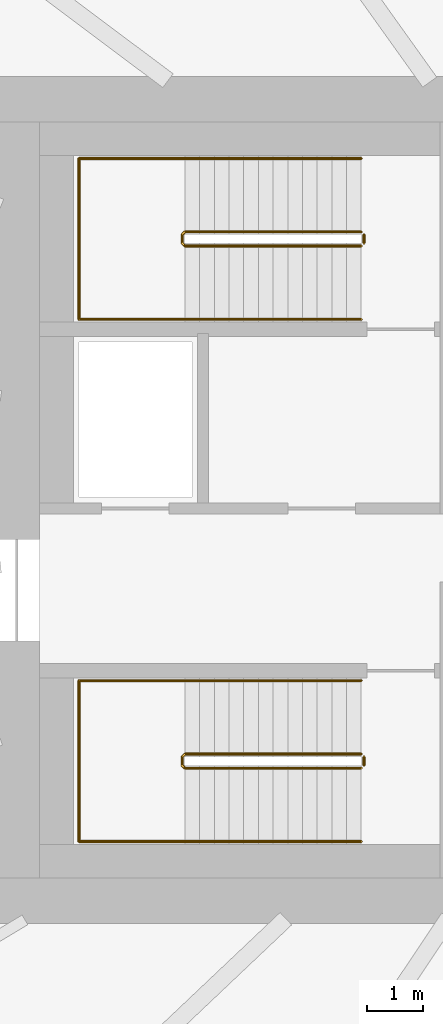
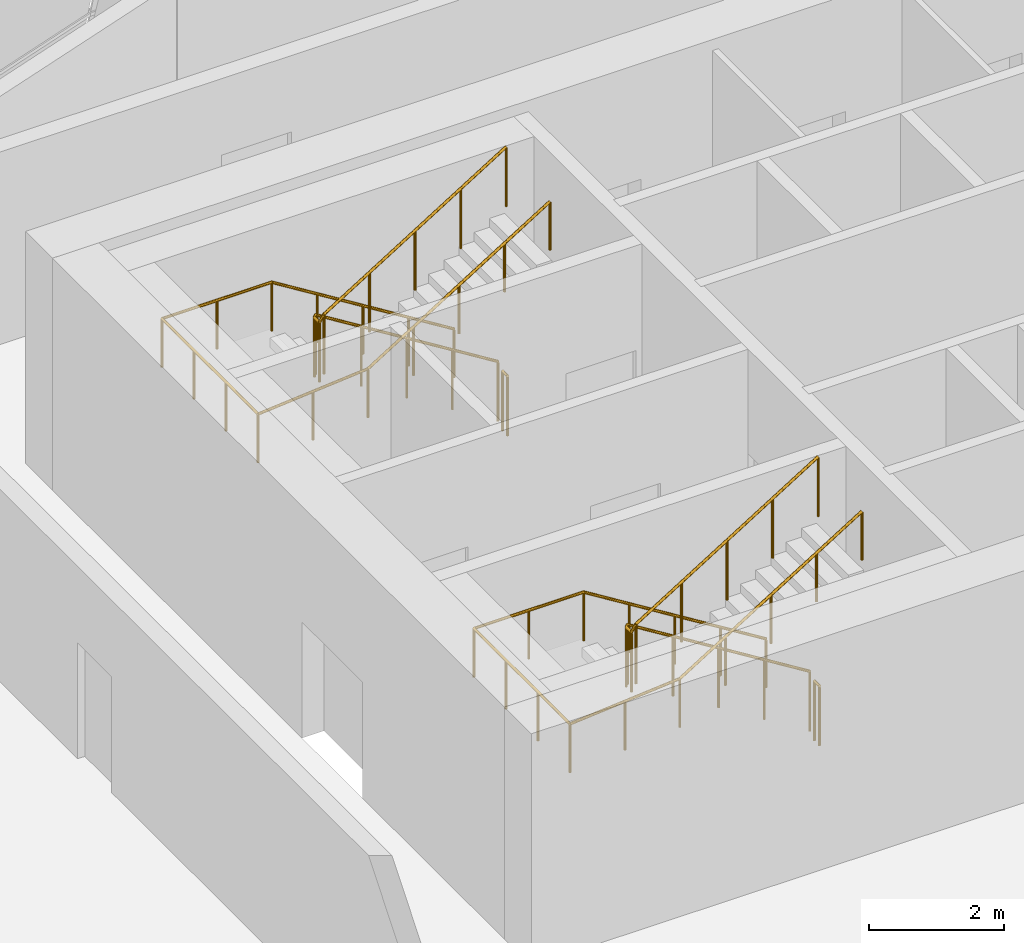
# One storey, part 9 of 9: 6 railings.
"""IFC4 building model written with IfcOpenShell, lengths in metres."""

from ifc_helpers import new_model, si_unit, direction, frame, origin, origin_2d, place, context, subcontext, project, spatial, circle, extrude, material, type_object, element, save


model = new_model("IFC4")

# Units and contexts
model_context = context("Model", 3, precision=1e-05, world=origin(), true_north=direction((0.0, 1.0)))
body_context = subcontext(model_context, "Body", "Model", "MODEL_VIEW")
ifc_project = project(units=[si_unit("LENGTHUNIT", "METRE"), si_unit("AREAUNIT", "SQUARE_METRE"), si_unit("VOLUMEUNIT", "CUBIC_METRE"), si_unit("PLANEANGLEUNIT", "RADIAN"), si_unit("MASSUNIT", "GRAM", prefix="KILO")], contexts=[model_context])

# Site, building, storey
site_placement = place(None, origin())
site = spatial("IfcSite", under=ifc_project, at=site_placement, CompositionType="ELEMENT")
building_placement = place(site_placement, origin())
building = spatial("IfcBuilding", under=site, at=building_placement, Name="Rubra Terraces Tower", CompositionType="ELEMENT")
storey_placement = place(building_placement, frame((0.0, 0.0, 307.800048828125)))
storey = spatial("IfcBuildingStorey", under=building, at=storey_placement, Name="L76", CompositionType="ELEMENT", Elevation=307.800048828125)

# Railings
ifc_material = material(Name="Stainless steel", Category="steel")
railing_type_1 = type_object("IfcRailingType", Name="Core stair guard 1100", PredefinedType="GUARDRAIL", material=ifc_material)
railing_1_placement = place(storey_placement, frame((-6.5, 0.0, 0.161376953125)))
element("IfcRailing", 1, at=railing_1_placement, inside=storey, type_object=railing_type_1, Name="L76 stair S1 guard 1", PredefinedType="GUARDRAIL", context=body_context, shape_type="SweptSolid", body=[
    extrude(circle(Radius=0.02392578125, at=origin_2d()), frame((0.0, 0.0, 1.076171875), z_axis=(-0.849414166554, 0.0, 0.527726798313), x_axis=(0.0, -1.0, 0.0)), (0.0, 0.0, 1.0), 3.67333984375),
    extrude(circle(Radius=0.02392578125, at=origin_2d()), frame((-3.1201171875, 0.0, 3.0146484375), z_axis=(-0.705375805398, -0.708833529934, 0.0), x_axis=(0.708833529934, -0.705375805398, 0.0)), (0.0, 0.0, 1.0), 0.070556640625),
    extrude(circle(Radius=0.02392578125, at=origin_2d()), frame((-3.169921875, -0.050048828125, 3.0146484375), z_axis=(0.0, -1.0, 0.0), x_axis=(1.0, 0.0, 0.0)), (0.0, 0.0, 1.0), 0.14990234375),
    extrude(circle(Radius=0.02392578125, at=origin_2d()), frame((-3.169921875, -0.199951171875, 3.0146484375), z_axis=(0.282385738925, -0.283769982743, 0.916369407688), x_axis=(0.708833529934, 0.705375805398, 0.0)), (0.0, 0.0, 1.0), 0.17626953125),
    extrude(circle(Radius=0.02392578125, at=origin_2d()), frame((-3.1201171875, -0.25, 3.17626953125), z_axis=(0.849414166554, 0.0, 0.527726798313), x_axis=(0.0, 1.0, 0.0)), (0.0, 0.0, 1.0), 3.67333984375),
    extrude(circle(Radius=0.02099609375, at=origin_2d()), origin(), (0.0, 0.0, 1.0), 1.052001953125),
    extrude(circle(Radius=0.02099609375, at=origin_2d()), frame((-0.780029296875, 0.0, 0.484619140625)), (0.0, 0.0, 1.0), 1.052001953125),
    extrude(circle(Radius=0.02099609375, at=origin_2d()), frame((-1.56005859375, 0.0, 0.96923828125)), (0.0, 0.0, 1.0), 1.052001953125),
    extrude(circle(Radius=0.02099609375, at=origin_2d()), frame((-2.340087890625, 0.0, 1.453857421875)), (0.0, 0.0, 1.0), 1.052001953125),
    extrude(circle(Radius=0.02099609375, at=origin_2d()), frame((-3.1201171875, 0.0, 1.9384765625)), (0.0, 0.0, 1.0), 1.052001953125),
    extrude(circle(Radius=0.02099609375, at=origin_2d()), frame((-3.169921875, -0.050048828125, 1.9384765625)), (0.0, 0.0, 1.0), 1.052001953125),
    extrude(circle(Radius=0.02099609375, at=origin_2d()), frame((-3.169921875, -0.199951171875, 1.9384765625)), (0.0, 0.0, 1.0), 1.052001953125),
    extrude(circle(Radius=0.02099609375, at=origin_2d()), frame((-3.1201171875, -0.25, 2.10009765625)), (0.0, 0.0, 1.0), 1.052001953125),
    extrude(circle(Radius=0.02099609375, at=origin_2d()), frame((-2.340087890625, -0.25, 2.584716796875)), (0.0, 0.0, 1.0), 1.052001953125),
    extrude(circle(Radius=0.02099609375, at=origin_2d()), frame((-1.56005859375, -0.25, 3.0693359375)), (0.0, 0.0, 1.0), 1.052001953125),
    extrude(circle(Radius=0.02099609375, at=origin_2d()), frame((-0.780029296875, -0.25, 3.553955078125)), (0.0, 0.0, 1.0), 1.052001953125),
    extrude(circle(Radius=0.02099609375, at=origin_2d()), frame((0.0, -0.25, 4.03857421875)), (0.0, 0.0, 1.0), 1.052001953125),
])
railing_2_placement = place(storey_placement, frame((-6.449951171875, -0.050048828125, 0.0)))
element("IfcRailing", 2, at=railing_2_placement, inside=storey, type_object=railing_type_1, Name="L76 stair S1 guard 2", PredefinedType="GUARDRAIL", context=body_context, shape_type="SweptSolid", body=[
    extrude(circle(Radius=0.02392578125, at=origin_2d()), frame((0.0, 0.0, 1.076171875), z_axis=(0.0, -1.0, 0.0), x_axis=(1.0, 0.0, 0.0)), (0.0, 0.0, 1.0), 0.14990234375),
    extrude(circle(Radius=0.02099609375, at=origin_2d()), origin(), (0.0, 0.0, 1.0), 1.052001953125),
    extrude(circle(Radius=0.02099609375, at=origin_2d()), frame((0.0, -0.14990234375, 0.0)), (0.0, 0.0, 1.0), 1.052001953125),
])
railing_3_placement = place(storey_placement, frame((-6.5, 9.25, 0.161376953125)))
element("IfcRailing", 3, at=railing_3_placement, inside=storey, type_object=railing_type_1, Name="L76 stair S2 guard 1", PredefinedType="GUARDRAIL", context=body_context, shape_type="SweptSolid", body=[
    extrude(circle(Radius=0.02392578125, at=origin_2d()), frame((0.0, 0.0, 1.076171875), z_axis=(-0.849414166554, 0.0, 0.527726798313), x_axis=(0.0, -1.0, 0.0)), (0.0, 0.0, 1.0), 3.67333984375),
    extrude(circle(Radius=0.02392578125, at=origin_2d()), frame((-3.1201171875, 0.0, 3.0146484375), z_axis=(-0.705375805398, -0.708833529934, 0.0), x_axis=(0.708833529934, -0.705375805398, 0.0)), (0.0, 0.0, 1.0), 0.070556640625),
    extrude(circle(Radius=0.02392578125, at=origin_2d()), frame((-3.169921875, -0.050048828125, 3.0146484375), z_axis=(0.0, -1.0, 0.0), x_axis=(1.0, 0.0, 0.0)), (0.0, 0.0, 1.0), 0.14990234375),
    extrude(circle(Radius=0.02392578125, at=origin_2d()), frame((-3.169921875, -0.199951171875, 3.0146484375), z_axis=(0.282385738925, -0.283769982743, 0.916369407688), x_axis=(0.708833529934, 0.705375805398, 0.0)), (0.0, 0.0, 1.0), 0.17626953125),
    extrude(circle(Radius=0.02392578125, at=origin_2d()), frame((-3.1201171875, -0.25, 3.17626953125), z_axis=(0.849414166554, 0.0, 0.527726798313), x_axis=(0.0, 1.0, 0.0)), (0.0, 0.0, 1.0), 3.67333984375),
    extrude(circle(Radius=0.02099609375, at=origin_2d()), origin(), (0.0, 0.0, 1.0), 1.052001953125),
    extrude(circle(Radius=0.02099609375, at=origin_2d()), frame((-0.780029296875, 0.0, 0.484619140625)), (0.0, 0.0, 1.0), 1.052001953125),
    extrude(circle(Radius=0.02099609375, at=origin_2d()), frame((-1.56005859375, 0.0, 0.96923828125)), (0.0, 0.0, 1.0), 1.052001953125),
    extrude(circle(Radius=0.02099609375, at=origin_2d()), frame((-2.340087890625, 0.0, 1.453857421875)), (0.0, 0.0, 1.0), 1.052001953125),
    extrude(circle(Radius=0.02099609375, at=origin_2d()), frame((-3.1201171875, 0.0, 1.9384765625)), (0.0, 0.0, 1.0), 1.052001953125),
    extrude(circle(Radius=0.02099609375, at=origin_2d()), frame((-3.169921875, -0.050048828125, 1.9384765625)), (0.0, 0.0, 1.0), 1.052001953125),
    extrude(circle(Radius=0.02099609375, at=origin_2d()), frame((-3.169921875, -0.199951171875, 1.9384765625)), (0.0, 0.0, 1.0), 1.052001953125),
    extrude(circle(Radius=0.02099609375, at=origin_2d()), frame((-3.1201171875, -0.25, 2.10009765625)), (0.0, 0.0, 1.0), 1.052001953125),
    extrude(circle(Radius=0.02099609375, at=origin_2d()), frame((-2.340087890625, -0.25, 2.584716796875)), (0.0, 0.0, 1.0), 1.052001953125),
    extrude(circle(Radius=0.02099609375, at=origin_2d()), frame((-1.56005859375, -0.25, 3.0693359375)), (0.0, 0.0, 1.0), 1.052001953125),
    extrude(circle(Radius=0.02099609375, at=origin_2d()), frame((-0.780029296875, -0.25, 3.553955078125)), (0.0, 0.0, 1.0), 1.052001953125),
    extrude(circle(Radius=0.02099609375, at=origin_2d()), frame((0.0, -0.25, 4.03857421875)), (0.0, 0.0, 1.0), 1.052001953125),
])
railing_4_placement = place(storey_placement, frame((-6.449951171875, 9.199951171875, 0.0)))
element("IfcRailing", 4, at=railing_4_placement, inside=storey, type_object=railing_type_1, Name="L76 stair S2 guard 2", PredefinedType="GUARDRAIL", context=body_context, shape_type="SweptSolid", body=[
    extrude(circle(Radius=0.02392578125, at=origin_2d()), frame((0.0, 0.0, 1.076171875), z_axis=(0.0, -1.0, 0.0), x_axis=(1.0, 0.0, 0.0)), (0.0, 0.0, 1.0), 0.14990234375),
    extrude(circle(Radius=0.02099609375, at=origin_2d()), origin(), (0.0, 0.0, 1.0), 1.052001953125),
    extrude(circle(Radius=0.02099609375, at=origin_2d()), frame((0.0, -0.14990234375, 0.0)), (0.0, 0.0, 1.0), 1.052001953125),
])
railing_type_2 = type_object("IfcRailingType", Name="Core stair handrail 900", PredefinedType="HANDRAIL", material=ifc_material)
railing_5_placement = place(storey_placement, frame((-6.5, 1.300048828125, 0.161376953125)))
element("IfcRailing", 5, at=railing_5_placement, inside=storey, type_object=railing_type_2, Name="L76 stair S1 handrail 1", PredefinedType="HANDRAIL", context=body_context, shape_type="SweptSolid", body=[
    extrude(circle(Radius=0.02392578125, at=origin_2d()), frame((0.0, 0.0, 0.8759765625), z_axis=(-0.849414166554, 0.0, 0.527726798313), x_axis=(0.0, -1.0, 0.0)), (0.0, 0.0, 1.0), 3.67333984375),
    extrude(circle(Radius=0.02392578125, at=origin_2d()), frame((-3.1201171875, 0.0, 2.814453125), z_axis=(-1.0, 0.0, 0.0), x_axis=(0.0, -1.0, 0.0)), (0.0, 0.0, 1.0), 1.8798828125),
    extrude(circle(Radius=0.02392578125, at=origin_2d()), frame((-5.0, 0.0, 2.814453125), z_axis=(0.0, -1.0, 0.0), x_axis=(1.0, 0.0, 0.0)), (0.0, 0.0, 1.0), 2.85009765625),
    extrude(circle(Radius=0.02392578125, at=origin_2d()), frame((-5.0, -2.85009765625, 2.814453125), z_axis=(0.996324596077, 0.0, 0.085658036702), x_axis=(0.0, 1.0, 0.0)), (0.0, 0.0, 1.0), 1.88671875),
    extrude(circle(Radius=0.02392578125, at=origin_2d()), frame((-3.1201171875, -2.85009765625, 2.97607421875), z_axis=(0.849414166554, 0.0, 0.527726798313), x_axis=(0.0, 1.0, 0.0)), (0.0, 0.0, 1.0), 3.67333984375),
    extrude(circle(Radius=0.02099609375, at=origin_2d()), origin(), (0.0, 0.0, 1.0), 0.851806640625),
    extrude(circle(Radius=0.02099609375, at=origin_2d()), frame((-0.780029296875, 0.0, 0.484619140625)), (0.0, 0.0, 1.0), 0.851806640625),
    extrude(circle(Radius=0.02099609375, at=origin_2d()), frame((-1.56005859375, 0.0, 0.96923828125)), (0.0, 0.0, 1.0), 0.851806640625),
    extrude(circle(Radius=0.02099609375, at=origin_2d()), frame((-2.340087890625, 0.0, 1.453857421875)), (0.0, 0.0, 1.0), 0.851806640625),
    extrude(circle(Radius=0.02099609375, at=origin_2d()), frame((-3.1201171875, 0.0, 1.9384765625)), (0.0, 0.0, 1.0), 0.851806640625),
    extrude(circle(Radius=0.02099609375, at=origin_2d()), frame((-4.06005859375, 0.0, 1.9384765625)), (0.0, 0.0, 1.0), 0.851806640625),
    extrude(circle(Radius=0.02099609375, at=origin_2d()), frame((-5.0, 0.0, 1.9384765625)), (0.0, 0.0, 1.0), 0.851806640625),
    extrude(circle(Radius=0.02099609375, at=origin_2d()), frame((-5.0, -0.949951171875, 1.9384765625)), (0.0, 0.0, 1.0), 0.851806640625),
    extrude(circle(Radius=0.02099609375, at=origin_2d()), frame((-5.0, -1.900146484375, 1.9384765625)), (0.0, 0.0, 1.0), 0.851806640625),
    extrude(circle(Radius=0.02099609375, at=origin_2d()), frame((-5.0, -2.85009765625, 1.9384765625)), (0.0, 0.0, 1.0), 0.851806640625),
    extrude(circle(Radius=0.02099609375, at=origin_2d()), frame((-4.06005859375, -2.85009765625, 2.019287109375)), (0.0, 0.0, 1.0), 0.851806640625),
    extrude(circle(Radius=0.02099609375, at=origin_2d()), frame((-3.1201171875, -2.85009765625, 2.10009765625)), (0.0, 0.0, 1.0), 0.851806640625),
    extrude(circle(Radius=0.02099609375, at=origin_2d()), frame((-2.340087890625, -2.85009765625, 2.584716796875)), (0.0, 0.0, 1.0), 0.851806640625),
    extrude(circle(Radius=0.02099609375, at=origin_2d()), frame((-1.56005859375, -2.85009765625, 3.0693359375)), (0.0, 0.0, 1.0), 0.851806640625),
    extrude(circle(Radius=0.02099609375, at=origin_2d()), frame((-0.780029296875, -2.85009765625, 3.553955078125)), (0.0, 0.0, 1.0), 0.851806640625),
    extrude(circle(Radius=0.02099609375, at=origin_2d()), frame((0.0, -2.85009765625, 4.03857421875)), (0.0, 0.0, 1.0), 0.851806640625),
])
railing_6_placement = place(storey_placement, frame((-6.5, 10.550048828125, 0.161376953125)))
element("IfcRailing", 6, at=railing_6_placement, inside=storey, type_object=railing_type_2, Name="L76 stair S2 handrail 1", PredefinedType="HANDRAIL", context=body_context, shape_type="SweptSolid", body=[
    extrude(circle(Radius=0.02392578125, at=origin_2d()), frame((0.0, 0.0, 0.8759765625), z_axis=(-0.849414166554, 0.0, 0.527726798313), x_axis=(0.0, -1.0, 0.0)), (0.0, 0.0, 1.0), 3.67333984375),
    extrude(circle(Radius=0.02392578125, at=origin_2d()), frame((-3.1201171875, 0.0, 2.814453125), z_axis=(-1.0, 0.0, 0.0), x_axis=(0.0, -1.0, 0.0)), (0.0, 0.0, 1.0), 1.8798828125),
    extrude(circle(Radius=0.02392578125, at=origin_2d()), frame((-5.0, 0.0, 2.814453125), z_axis=(0.0, -1.0, 0.0), x_axis=(1.0, 0.0, 0.0)), (0.0, 0.0, 1.0), 2.85009765625),
    extrude(circle(Radius=0.02392578125, at=origin_2d()), frame((-5.0, -2.85009765625, 2.814453125), z_axis=(0.996324596077, 0.0, 0.085658036702), x_axis=(0.0, 1.0, 0.0)), (0.0, 0.0, 1.0), 1.88671875),
    extrude(circle(Radius=0.02392578125, at=origin_2d()), frame((-3.1201171875, -2.85009765625, 2.97607421875), z_axis=(0.849414166554, 0.0, 0.527726798313), x_axis=(0.0, 1.0, 0.0)), (0.0, 0.0, 1.0), 3.67333984375),
    extrude(circle(Radius=0.02099609375, at=origin_2d()), origin(), (0.0, 0.0, 1.0), 0.851806640625),
    extrude(circle(Radius=0.02099609375, at=origin_2d()), frame((-0.780029296875, 0.0, 0.484619140625)), (0.0, 0.0, 1.0), 0.851806640625),
    extrude(circle(Radius=0.02099609375, at=origin_2d()), frame((-1.56005859375, 0.0, 0.96923828125)), (0.0, 0.0, 1.0), 0.851806640625),
    extrude(circle(Radius=0.02099609375, at=origin_2d()), frame((-2.340087890625, 0.0, 1.453857421875)), (0.0, 0.0, 1.0), 0.851806640625),
    extrude(circle(Radius=0.02099609375, at=origin_2d()), frame((-3.1201171875, 0.0, 1.9384765625)), (0.0, 0.0, 1.0), 0.851806640625),
    extrude(circle(Radius=0.02099609375, at=origin_2d()), frame((-4.06005859375, 0.0, 1.9384765625)), (0.0, 0.0, 1.0), 0.851806640625),
    extrude(circle(Radius=0.02099609375, at=origin_2d()), frame((-5.0, 0.0, 1.9384765625)), (0.0, 0.0, 1.0), 0.851806640625),
    extrude(circle(Radius=0.02099609375, at=origin_2d()), frame((-5.0, -0.949951171875, 1.9384765625)), (0.0, 0.0, 1.0), 0.851806640625),
    extrude(circle(Radius=0.02099609375, at=origin_2d()), frame((-5.0, -1.900146484375, 1.9384765625)), (0.0, 0.0, 1.0), 0.851806640625),
    extrude(circle(Radius=0.02099609375, at=origin_2d()), frame((-5.0, -2.85009765625, 1.9384765625)), (0.0, 0.0, 1.0), 0.851806640625),
    extrude(circle(Radius=0.02099609375, at=origin_2d()), frame((-4.06005859375, -2.85009765625, 2.019287109375)), (0.0, 0.0, 1.0), 0.851806640625),
    extrude(circle(Radius=0.02099609375, at=origin_2d()), frame((-3.1201171875, -2.85009765625, 2.10009765625)), (0.0, 0.0, 1.0), 0.851806640625),
    extrude(circle(Radius=0.02099609375, at=origin_2d()), frame((-2.340087890625, -2.85009765625, 2.584716796875)), (0.0, 0.0, 1.0), 0.851806640625),
    extrude(circle(Radius=0.02099609375, at=origin_2d()), frame((-1.56005859375, -2.85009765625, 3.0693359375)), (0.0, 0.0, 1.0), 0.851806640625),
    extrude(circle(Radius=0.02099609375, at=origin_2d()), frame((-0.780029296875, -2.85009765625, 3.553955078125)), (0.0, 0.0, 1.0), 0.851806640625),
    extrude(circle(Radius=0.02099609375, at=origin_2d()), frame((0.0, -2.85009765625, 4.03857421875)), (0.0, 0.0, 1.0), 0.851806640625),
])

save(model, "model.ifc")
